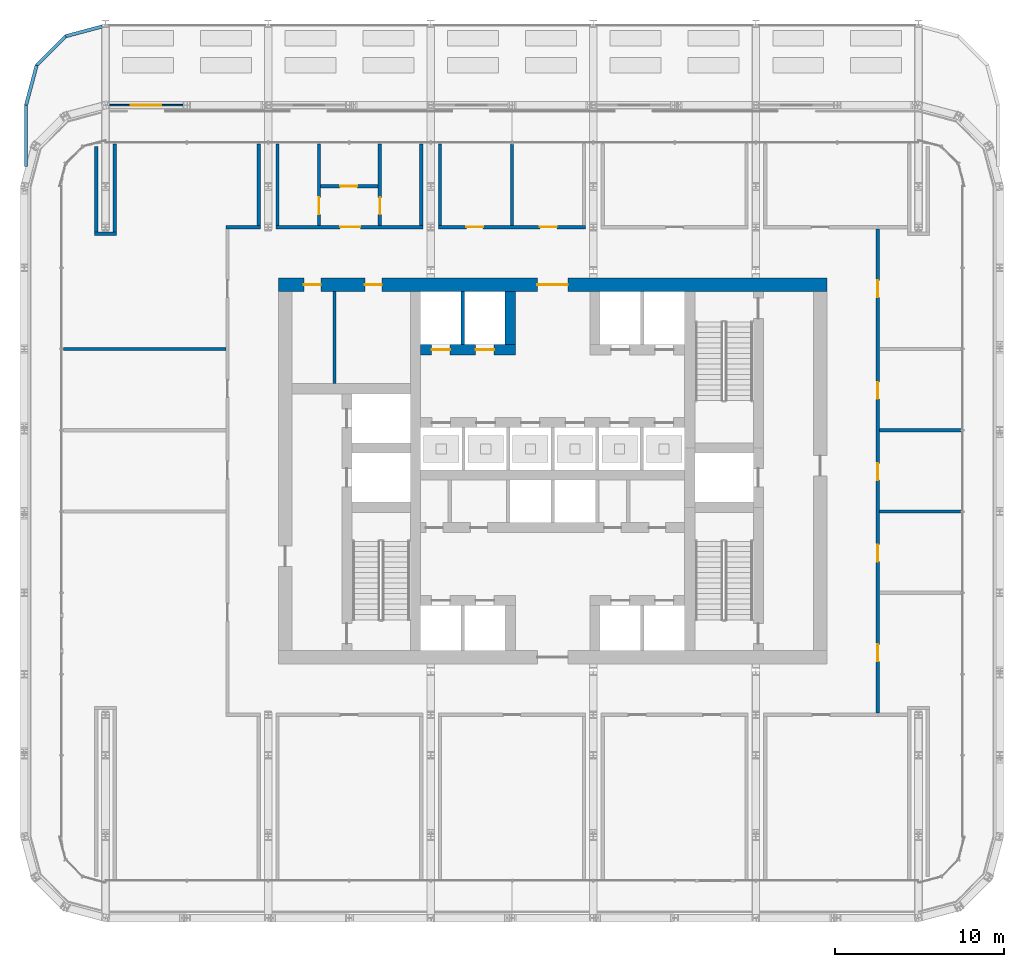
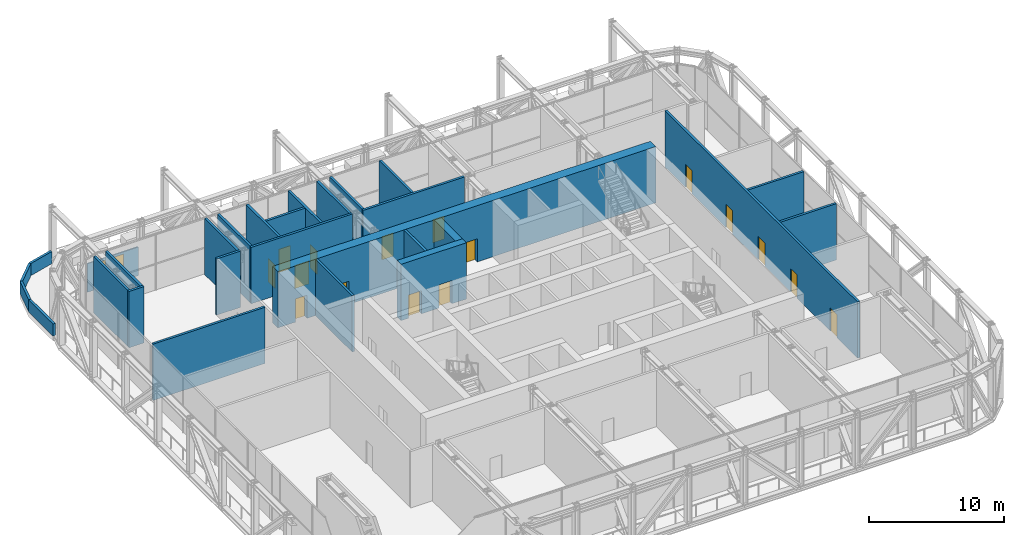
# One storey, part 18 of 27: 28 walls, 17 doors, 17 openings.
"""IFC4 building model written with IfcOpenShell, lengths in metres."""

from ifc_helpers import new_model, si_unit, direction, frame, frame_2d, origin, place, context, subcontext, project, spatial, rectangle, extrude, material, layer, layer_set, type_object, element, fill, save


model = new_model("IFC4")

# Units and contexts
model_context = context("Model", 3, precision=1e-05, world=origin(), true_north=direction((0.0, 1.0)))
body_context = subcontext(model_context, "Body", "Model", "MODEL_VIEW")
ifc_project = project(units=[si_unit("LENGTHUNIT", "METRE"), si_unit("AREAUNIT", "SQUARE_METRE"), si_unit("VOLUMEUNIT", "CUBIC_METRE"), si_unit("PLANEANGLEUNIT", "RADIAN"), si_unit("MASSUNIT", "GRAM", prefix="KILO")], contexts=[model_context])

# Site, building, storey
site_placement = place(None, origin())
site = spatial("IfcSite", under=ifc_project, at=site_placement, CompositionType="ELEMENT")
building_placement = place(site_placement, origin())
building = spatial("IfcBuilding", under=site, at=building_placement, Name="Madar Terraces", CompositionType="ELEMENT")
storey_placement = place(building_placement, frame((0.0, 0.0, 143.60009765625)))
storey = spatial("IfcBuildingStorey", under=building, at=storey_placement, Name="L37", CompositionType="ELEMENT", Elevation=143.60009765625)

# Wall, openings, doors
ifc_material_1 = material(Name="Concrete C70/85", Category="concrete")
ifc_layer_1 = layer(ifc_material_1, 0.60009765625)
ifc_layer_set_1 = layer_set([ifc_layer_1], Name="Concrete C70/85 (CIW3 RC wall 600)")
wall_type_1 = type_object("IfcWallType", Name="CIW3 RC wall 600", PredefinedType="SHEAR", material=ifc_layer_set_1)
wall_1_placement = place(storey_placement, frame((23.39990234375, 33.550048828125, 0.0), z_axis=(0.0, 0.0, 1.0), x_axis=(1.0, 0.0, 0.0)))
wall_1 = element("IfcWall", 1, at=wall_1_placement, inside=storey, type_object=wall_type_1, Name="CORE SHAFT WALL", PredefinedType="SHEAR", context=body_context, shape_type="SweptSolid", body=[
    extrude(rectangle(XDim=5.60009765625, YDim=0.60009765625, at=frame_2d((2.800048828125, 0.0))), origin(), (0.0, 0.0, 1.0), 5.099853515625),
])
opening_1_placement = place(wall_1_placement, frame((0.64990234375, 0.0, 0.0)))
opening_1 = element("IfcOpeningElement", 2, at=opening_1_placement, cuts=wall_1, Name="Opening LD", PredefinedType="OPENING", context=body_context, shape_type="SweptSolid", body=[
    extrude(rectangle(XDim=1.10009765625, YDim=2.10009765625, at=frame_2d((0.550048828125, 1.050048828125))), frame((0.0, 0.31005859375, 0.0), z_axis=(0.0, -1.0, 0.0), x_axis=(1.0, 0.0, 0.0)), (0.0, 0.0, 1.0), 0.6201171875),
])
opening_2_placement = place(wall_1_placement, frame((3.25, 0.0, 0.0)))
opening_2 = element("IfcOpeningElement", 3, at=opening_2_placement, cuts=wall_1, Name="Opening LD", PredefinedType="OPENING", context=body_context, shape_type="SweptSolid", body=[
    extrude(rectangle(XDim=1.10009765625, YDim=2.10009765625, at=frame_2d((0.550048828125, 1.050048828125))), frame((0.0, 0.31005859375, 0.0), z_axis=(0.0, -1.0, 0.0), x_axis=(1.0, 0.0, 0.0)), (0.0, 0.0, 1.0), 0.6201171875),
])
ifc_material_2 = material(Name="Stainless steel panel", Category="steel")
door_type_1 = type_object("IfcDoorType", Name="Lift landing door 1100 x 2100", OperationType="DOUBLE_DOOR_SLIDING", PredefinedType="DOOR", material=ifc_material_2)
door_1_placement = place(opening_1_placement, origin())
door_1 = element("IfcDoor", 4, at=door_1_placement, inside=storey, type_object=door_type_1, Name="LIFT LANDING DOOR", OperationType="DOUBLE_DOOR_SLIDING", OverallHeight=2.10009765625, OverallWidth=1.10009765625, PredefinedType="DOOR", context=body_context, shape_type="SweptSolid", body=[
    extrude(rectangle(XDim=1.10009765625, YDim=2.10009765625, at=frame_2d((0.550048828125, 1.050048828125))), frame((0.0, 0.02490234375, 0.0), z_axis=(0.0, -1.0, 0.0), x_axis=(1.0, 0.0, 0.0)), (0.0, 0.0, 1.0), 0.050048828125),
])
fill(opening_1, door_1)
door_2_placement = place(opening_2_placement, origin())
door_2 = element("IfcDoor", 5, at=door_2_placement, inside=storey, type_object=door_type_1, Name="LIFT LANDING DOOR", OperationType="DOUBLE_DOOR_SLIDING", OverallHeight=2.10009765625, OverallWidth=1.10009765625, PredefinedType="DOOR", context=body_context, shape_type="SweptSolid", body=[
    extrude(rectangle(XDim=1.10009765625, YDim=2.10009765625, at=frame_2d((0.550048828125, 1.050048828125))), frame((0.0, 0.02490234375, 0.0), z_axis=(0.0, -1.0, 0.0), x_axis=(1.0, 0.0, 0.0)), (0.0, 0.0, 1.0), 0.050048828125),
])
fill(opening_2, door_2)

# Wall
wall_2_placement = place(storey_placement, frame((28.699951171875, 33.85009765625, 0.0), z_axis=(0.0, 0.0, 1.0), x_axis=(0.0, 1.0, 0.0)))
element("IfcWall", 6, at=wall_2_placement, inside=storey, type_object=wall_type_1, Name="CORE SHAFT WALL", PredefinedType="SHEAR", context=body_context, shape_type="SweptSolid", body=[
    extrude(rectangle(XDim=3.14990234375, YDim=0.60009765625, at=frame_2d((1.574951171875, 0.0))), origin(), (0.0, 0.0, 1.0), 5.099853515625),
])

# Wall, openings, doors
ifc_material_3 = material(Name="Concrete C70/85", Category="concrete")
ifc_layer_2 = layer(ifc_material_3, 0.800048828125)
ifc_layer_set_2 = layer_set([ifc_layer_2], Name="Concrete C70/85 (CRW3 RC wall 800)")
wall_type_2 = type_object("IfcWallType", Name="CRW3 RC wall 800", PredefinedType="SHEAR", material=ifc_layer_set_2)
wall_3_placement = place(storey_placement, frame((15.0, 37.39990234375, 0.0), z_axis=(0.0, 0.0, 1.0), x_axis=(1.0, 0.0, 0.0)))
wall_3 = element("IfcWall", 7, at=wall_3_placement, inside=storey, type_object=wall_type_2, Name="CORE OUTER WALL", PredefinedType="SHEAR", context=body_context, shape_type="SweptSolid", body=[
    extrude(rectangle(XDim=32.39990234375, YDim=0.800048828125, at=frame_2d((16.199951171875, 0.0))), origin(), (0.0, 0.0, 1.0), 5.099853515625),
])
opening_3_placement = place(wall_3_placement, frame((15.300048828125, 0.0, 0.0)))
opening_3 = element("IfcOpeningElement", 8, at=opening_3_placement, cuts=wall_3, Name="Opening KD1", PredefinedType="OPENING", context=body_context, shape_type="SweptSolid", body=[
    extrude(rectangle(XDim=1.800048828125, YDim=2.10009765625, at=frame_2d((0.89990234375, 1.050048828125))), frame((0.0, 0.409912109375, 0.0), z_axis=(0.0, -1.0, 0.0), x_axis=(1.0, 0.0, 0.0)), (0.0, 0.0, 1.0), 0.820068359375),
])
opening_4_placement = place(wall_3_placement, frame((1.510009765625, 0.0, 0.0)))
opening_4 = element("IfcOpeningElement", 9, at=opening_4_placement, cuts=wall_3, Name="Opening KD2", PredefinedType="OPENING", context=body_context, shape_type="SweptSolid", body=[
    extrude(rectangle(XDim=1.0, YDim=2.10009765625, at=frame_2d((0.5, 1.050048828125))), frame((0.0, 0.409912109375, 0.0), z_axis=(0.0, -1.0, 0.0), x_axis=(1.0, 0.0, 0.0)), (0.0, 0.0, 1.0), 0.820068359375),
])
opening_5_placement = place(wall_3_placement, frame((5.110107421875, 0.0, 0.0)))
opening_5 = element("IfcOpeningElement", 10, at=opening_5_placement, cuts=wall_3, Name="Opening KD2", PredefinedType="OPENING", context=body_context, shape_type="SweptSolid", body=[
    extrude(rectangle(XDim=1.0, YDim=2.10009765625, at=frame_2d((0.5, 1.050048828125))), frame((0.0, 0.409912109375, 0.0), z_axis=(0.0, -1.0, 0.0), x_axis=(1.0, 0.0, 0.0)), (0.0, 0.0, 1.0), 0.820068359375),
])
ifc_material_4 = material(Name="Steel door leaf", Category="steel")
door_type_2 = type_object("IfcDoorType", Name="Lobby door pair 1800 x 2100", OperationType="DOUBLE_DOOR_SINGLE_SWING", PredefinedType="DOOR", material=ifc_material_4)
door_3_placement = place(opening_3_placement, origin())
door_3 = element("IfcDoor", 11, at=door_3_placement, inside=storey, type_object=door_type_2, Name="LIFT LOBBY DOOR", OperationType="DOUBLE_DOOR_SINGLE_SWING", OverallHeight=2.10009765625, OverallWidth=1.800048828125, PredefinedType="DOOR", context=body_context, shape_type="SweptSolid", body=[
    extrude(rectangle(XDim=1.800048828125, YDim=2.10009765625, at=frame_2d((0.89990234375, 1.050048828125))), frame((0.0, 0.02490234375, 0.0), z_axis=(0.0, -1.0, 0.0), x_axis=(1.0, 0.0, 0.0)), (0.0, 0.0, 1.0), 0.050048828125),
])
fill(opening_3, door_3)
ifc_material_5 = material(Name="Steel door leaf", Category="steel")
door_type_3 = type_object("IfcDoorType", Name="Service room door 1000 x 2100", OperationType="NOTDEFINED", PredefinedType="DOOR", material=ifc_material_5)
door_4_placement = place(opening_4_placement, origin())
door_4 = element("IfcDoor", 12, at=door_4_placement, inside=storey, type_object=door_type_3, Name="SERVICE ROOM DOOR", OperationType="SINGLE_SWING_RIGHT", OverallHeight=2.10009765625, OverallWidth=1.0, PredefinedType="DOOR", context=body_context, shape_type="SweptSolid", body=[
    extrude(rectangle(XDim=1.0, YDim=2.10009765625, at=frame_2d((0.5, 1.050048828125))), frame((0.0, 0.02490234375, 0.0), z_axis=(0.0, -1.0, 0.0), x_axis=(1.0, 0.0, 0.0)), (0.0, 0.0, 1.0), 0.050048828125),
])
fill(opening_4, door_4)
door_5_placement = place(opening_5_placement, origin())
door_5 = element("IfcDoor", 13, at=door_5_placement, inside=storey, type_object=door_type_3, Name="SERVICE ROOM DOOR", OperationType="SINGLE_SWING_LEFT", OverallHeight=2.10009765625, OverallWidth=1.0, PredefinedType="DOOR", context=body_context, shape_type="SweptSolid", body=[
    extrude(rectangle(XDim=1.0, YDim=2.10009765625, at=frame_2d((0.5, 1.050048828125))), frame((0.0, 0.02490234375, 0.0), z_axis=(0.0, -1.0, 0.0), x_axis=(1.0, 0.0, 0.0)), (0.0, 0.0, 1.0), 0.050048828125),
])
fill(opening_5, door_5)

# Walls
ifc_material_6 = material(Name="Masonry blockwork", Category="masonry")
ifc_layer_3 = layer(ifc_material_6, 0.199951171875)
ifc_layer_set_3 = layer_set([ifc_layer_3], Name="Core partition 200 blockwork")
wall_type_3 = type_object("IfcWallType", Name="Core partition 200 blockwork", PredefinedType="PARTITIONING", material=ifc_layer_set_3)
wall_4_placement = place(storey_placement, frame((18.320068359375, 31.550048828125, 0.0), z_axis=(0.0, 0.0, 1.0), x_axis=(0.0, 1.0, 0.0)))
element("IfcWall", 14, at=wall_4_placement, inside=storey, type_object=wall_type_3, Name="SERVICE ROOM PARTITION", PredefinedType="PARTITIONING", context=body_context, shape_type="SweptSolid", body=[
    extrude(rectangle(XDim=5.449951171875, YDim=0.199951171875, at=frame_2d((2.72509765625, 0.0))), origin(), (0.0, 0.0, 1.0), 5.099853515625),
])
ifc_material_7 = material(Name="Concrete C40/50", Category="concrete")
ifc_layer_4 = layer(ifc_material_7, 0.199951171875)
ifc_layer_set_4 = layer_set([ifc_layer_4], Name="Core shaft dividing wall 200 C40/50")
wall_type_4 = type_object("IfcWallType", Name="Core shaft dividing wall 200 C40/50", PredefinedType="SOLIDWALL", material=ifc_layer_set_4)
wall_5_placement = place(storey_placement, frame((25.89990234375, 33.85009765625, 0.0), z_axis=(0.0, 0.0, 1.0), x_axis=(0.0, 1.0, 0.0)))
element("IfcWall", 15, at=wall_5_placement, inside=storey, type_object=wall_type_4, Name="SHAFT DIVIDING WALL", PredefinedType="SOLIDWALL", context=body_context, shape_type="SweptSolid", body=[
    extrude(rectangle(XDim=3.14990234375, YDim=0.199951171875, at=frame_2d((1.574951171875, 0.0))), origin(), (0.0, 0.0, 1.0), 5.099853515625),
])
ifc_material_8 = material(Name="Gypsum board partition, fire-rated")
ifc_layer_5 = layer(ifc_material_8, 0.199951171875)
ifc_layer_set_5 = layer_set([ifc_layer_5], Name="Partition 200 EI 60")
wall_type_5 = type_object("IfcWallType", Name="Partition 200 EI 60", PredefinedType="PARTITIONING", material=ifc_layer_set_5)
for number, where, z_axis, x_axis, name in (
    (16, (50.5, 24.0, 0.0), (0.0, 0.0, 1.0), (1.0, 0.0, 0.0), "Wall OFFICE / OFFICE"),
    (17, (50.5, 28.800048828125, 0.0), (0.0, 0.0, 1.0), (1.0, 0.0, 0.0), "Wall OFFICE / CRAFT ROOM"),
):
    element("IfcWall", number, at=place(storey_placement, frame(where, z_axis=z_axis, x_axis=x_axis)), inside=storey, type_object=wall_type_5, Name=name, PredefinedType="PARTITIONING", context=body_context, shape_type="SweptSolid", body=[
        extrude(rectangle(XDim=4.800048828125, YDim=0.199951171875, at=frame_2d((2.39990234375, 0.0))), origin(), (0.0, 0.0, 1.0), 5.099853515625),
    ])
wall_6_placement = place(storey_placement, frame((2.300048828125, 33.60009765625, 0.0), z_axis=(0.0, 0.0, 1.0), x_axis=(1.0, 0.0, 0.0)))
element("IfcWall", 18, at=wall_6_placement, inside=storey, type_object=wall_type_5, Name="Wall GAMES ROOM / YOUTH ROOM", PredefinedType="PARTITIONING", context=body_context, shape_type="SweptSolid", body=[
    extrude(rectangle(XDim=9.599853515625, YDim=0.199951171875, at=frame_2d((4.7998046875, 0.0))), origin(), (0.0, 0.0, 1.0), 5.099853515625),
])
wall_7_placement = place(storey_placement, frame((11.89990234375, 40.800048828125, 0.0), z_axis=(0.0, 0.0, 1.0), x_axis=(1.0, 0.0, 0.0)))
element("IfcWall", 19, at=wall_7_placement, inside=storey, type_object=wall_type_5, Name="Wall YOUTH ROOM / RING CORRIDOR", PredefinedType="PARTITIONING", context=body_context, shape_type="SweptSolid", body=[
    extrude(rectangle(XDim=2.050048828125, YDim=0.199951171875, at=frame_2d((1.02490234375, 0.0))), origin(), (0.0, 0.0, 1.0), 5.099853515625),
])

# Wall, opening, door
wall_8_placement = place(storey_placement, frame((23.550048828125, 40.800048828125, 0.0), z_axis=(0.0, 0.0, 1.0), x_axis=(-1.0, 0.0, 0.0)))
wall_8 = element("IfcWall", 20, at=wall_8_placement, inside=storey, type_object=wall_type_5, Name="Wall WC LOBBY + WC MEN", PredefinedType="PARTITIONING", context=body_context, shape_type="SweptSolid", body=[
    extrude(rectangle(XDim=8.699951171875, YDim=0.199951171875, at=frame_2d((4.35009765625, 0.0))), origin(), (0.0, 0.0, 1.0), 5.099853515625),
])
opening_6_placement = place(wall_8_placement, frame((3.699951171875, 0.0, 0.0)))
opening_6 = element("IfcOpeningElement", 21, at=opening_6_placement, cuts=wall_8, Name="Opening D32", PredefinedType="OPENING", context=body_context, shape_type="SweptSolid", body=[
    extrude(rectangle(XDim=1.199951171875, YDim=2.10009765625, at=frame_2d((0.60009765625, 1.050048828125))), frame((0.0, 0.10986328125, 0.0), z_axis=(0.0, -1.0, 0.0), x_axis=(1.0, 0.0, 0.0)), (0.0, 0.0, 1.0), 0.219970703125),
])
ifc_material_9 = material(Name="Timber door leaf, fire-rated", Category="wood")
door_type_4 = type_object("IfcDoorType", Name="Podium door 1200 x 2100 FD30S", OperationType="NOTDEFINED", PredefinedType="DOOR", material=ifc_material_9)
door_6_placement = place(opening_6_placement, origin())
door_6 = element("IfcDoor", 22, at=door_6_placement, inside=storey, type_object=door_type_4, Name="Door WC LOBBY / RING CORRIDOR", OperationType="SINGLE_SWING_LEFT", OverallHeight=2.10009765625, OverallWidth=1.199951171875, PredefinedType="DOOR", context=body_context, shape_type="SweptSolid", body=[
    extrude(rectangle(XDim=1.199951171875, YDim=2.10009765625, at=frame_2d((0.60009765625, 1.050048828125))), frame((0.0, 0.02490234375, 0.0), z_axis=(0.0, -1.0, 0.0), x_axis=(1.0, 0.0, 0.0)), (0.0, 0.0, 1.0), 0.050048828125),
])
fill(opening_6, door_6)

# Wall, openings, doors
wall_9_placement = place(storey_placement, frame((24.449951171875, 40.800048828125, 0.0), z_axis=(0.0, 0.0, 1.0), x_axis=(1.0, 0.0, 0.0)))
wall_9 = element("IfcWall", 23, at=wall_9_placement, inside=storey, type_object=wall_type_5, Name="Wall COMPUTER ROOM + OFFICE", PredefinedType="PARTITIONING", context=body_context, shape_type="SweptSolid", body=[
    extrude(rectangle(XDim=8.699951171875, YDim=0.199951171875, at=frame_2d((4.35009765625, 0.0))), origin(), (0.0, 0.0, 1.0), 5.099853515625),
])
opening_7_placement = place(wall_9_placement, frame((1.64990234375, 0.0, 0.0)))
opening_7 = element("IfcOpeningElement", 24, at=opening_7_placement, cuts=wall_9, Name="Opening D31", PredefinedType="OPENING", context=body_context, shape_type="SweptSolid", body=[
    extrude(rectangle(XDim=1.0, YDim=2.10009765625, at=frame_2d((0.5, 1.050048828125))), frame((0.0, 0.10986328125, 0.0), z_axis=(0.0, -1.0, 0.0), x_axis=(1.0, 0.0, 0.0)), (0.0, 0.0, 1.0), 0.219970703125),
])
opening_8_placement = place(wall_9_placement, frame((6.0, 0.0, 0.0)))
opening_8 = element("IfcOpeningElement", 25, at=opening_8_placement, cuts=wall_9, Name="Opening D31", PredefinedType="OPENING", context=body_context, shape_type="SweptSolid", body=[
    extrude(rectangle(XDim=1.0, YDim=2.10009765625, at=frame_2d((0.5, 1.050048828125))), frame((0.0, 0.10986328125, 0.0), z_axis=(0.0, -1.0, 0.0), x_axis=(1.0, 0.0, 0.0)), (0.0, 0.0, 1.0), 0.219970703125),
])
ifc_material_10 = material(Name="Timber door leaf, fire-rated", Category="wood")
door_type_5 = type_object("IfcDoorType", Name="Podium door 1000 x 2100 FD30S", OperationType="NOTDEFINED", PredefinedType="DOOR", material=ifc_material_10)
door_7_placement = place(opening_7_placement, origin())
door_7 = element("IfcDoor", 26, at=door_7_placement, inside=storey, type_object=door_type_5, Name="Door COMPUTER ROOM / RING CORRIDOR", OperationType="SINGLE_SWING_LEFT", OverallHeight=2.10009765625, OverallWidth=1.0, PredefinedType="DOOR", context=body_context, shape_type="SweptSolid", body=[
    extrude(rectangle(XDim=1.0, YDim=2.10009765625, at=frame_2d((0.5, 1.050048828125))), frame((0.0, 0.02490234375, 0.0), z_axis=(0.0, -1.0, 0.0), x_axis=(1.0, 0.0, 0.0)), (0.0, 0.0, 1.0), 0.050048828125),
])
fill(opening_7, door_7)
door_8_placement = place(opening_8_placement, origin())
door_8 = element("IfcDoor", 27, at=door_8_placement, inside=storey, type_object=door_type_5, Name="Door OFFICE / RING CORRIDOR", OperationType="SINGLE_SWING_LEFT", OverallHeight=2.10009765625, OverallWidth=1.0, PredefinedType="DOOR", context=body_context, shape_type="SweptSolid", body=[
    extrude(rectangle(XDim=1.0, YDim=2.10009765625, at=frame_2d((0.5, 1.050048828125))), frame((0.0, 0.02490234375, 0.0), z_axis=(0.0, -1.0, 0.0), x_axis=(1.0, 0.0, 0.0)), (0.0, 0.0, 1.0), 0.050048828125),
])
fill(opening_8, door_8)

# Wall, opening, door
wall_10_placement = place(storey_placement, frame((17.5, 43.199951171875, 0.0), z_axis=(0.0, 0.0, 1.0), x_axis=(1.0, 0.0, 0.0)))
wall_10 = element("IfcWall", 28, at=wall_10_placement, inside=storey, type_object=wall_type_5, Name="Wall WC LOBBY / ACCESSIBLE WC", PredefinedType="PARTITIONING", context=body_context, shape_type="SweptSolid", body=[
    extrude(rectangle(XDim=3.39990234375, YDim=0.199951171875, at=frame_2d((1.699951171875, 0.0))), origin(), (0.0, 0.0, 1.0), 5.099853515625),
])
opening_9_placement = place(wall_10_placement, frame((1.14990234375, 0.0, 0.0)))
opening_9 = element("IfcOpeningElement", 29, at=opening_9_placement, cuts=wall_10, Name="Opening D31", PredefinedType="OPENING", context=body_context, shape_type="SweptSolid", body=[
    extrude(rectangle(XDim=1.0, YDim=2.10009765625, at=frame_2d((0.5, 1.050048828125))), frame((0.0, 0.10986328125, 0.0), z_axis=(0.0, -1.0, 0.0), x_axis=(1.0, 0.0, 0.0)), (0.0, 0.0, 1.0), 0.219970703125),
])
door_9_placement = place(opening_9_placement, origin())
door_9 = element("IfcDoor", 30, at=door_9_placement, inside=storey, type_object=door_type_5, Name="Door WC LOBBY / ACCESSIBLE WC", OperationType="SINGLE_SWING_LEFT", OverallHeight=2.10009765625, OverallWidth=1.0, PredefinedType="DOOR", context=body_context, shape_type="SweptSolid", body=[
    extrude(rectangle(XDim=1.0, YDim=2.10009765625, at=frame_2d((0.5, 1.050048828125))), frame((0.0, 0.02490234375, 0.0), z_axis=(0.0, -1.0, 0.0), x_axis=(1.0, 0.0, 0.0)), (0.0, 0.0, 1.0), 0.050048828125),
])
fill(opening_9, door_9)

wall_11_placement = place(storey_placement, frame((17.39990234375, 40.89990234375, 0.0), z_axis=(0.0, 0.0, 1.0), x_axis=(0.0, 1.0, 0.0)))
wall_11 = element("IfcWall", 31, at=wall_11_placement, inside=storey, type_object=wall_type_5, Name="Wall WC MEN", PredefinedType="PARTITIONING", context=body_context, shape_type="SweptSolid", body=[
    extrude(rectangle(XDim=4.800048828125, YDim=0.199951171875, at=frame_2d((2.39990234375, 0.0))), origin(), (0.0, 0.0, 1.0), 5.099853515625),
])
opening_10_placement = place(wall_11_placement, frame((0.64990234375, 0.0, 0.0)))
opening_10 = element("IfcOpeningElement", 32, at=opening_10_placement, cuts=wall_11, Name="Opening D31", PredefinedType="OPENING", context=body_context, shape_type="SweptSolid", body=[
    extrude(rectangle(XDim=1.0, YDim=2.10009765625, at=frame_2d((0.5, 1.050048828125))), frame((0.0, 0.10986328125, 0.0), z_axis=(0.0, -1.0, 0.0), x_axis=(1.0, 0.0, 0.0)), (0.0, 0.0, 1.0), 0.219970703125),
])
door_10_placement = place(opening_10_placement, origin())
door_10 = element("IfcDoor", 33, at=door_10_placement, inside=storey, type_object=door_type_5, Name="Door WC MEN / WC LOBBY", OperationType="SINGLE_SWING_LEFT", OverallHeight=2.10009765625, OverallWidth=1.0, PredefinedType="DOOR", context=body_context, shape_type="SweptSolid", body=[
    extrude(rectangle(XDim=1.0, YDim=2.10009765625, at=frame_2d((0.5, 1.050048828125))), frame((0.0, 0.02490234375, 0.0), z_axis=(0.0, -1.0, 0.0), x_axis=(1.0, 0.0, 0.0)), (0.0, 0.0, 1.0), 0.050048828125),
])
fill(opening_10, door_10)

wall_12_placement = place(storey_placement, frame((21.0, 45.699951171875, 0.0), z_axis=(0.0, 0.0, 1.0), x_axis=(0.0, -1.0, 0.0)))
wall_12 = element("IfcWall", 34, at=wall_12_placement, inside=storey, type_object=wall_type_5, Name="Wall WC LOBBY + WC WOMEN", PredefinedType="PARTITIONING", context=body_context, shape_type="SweptSolid", body=[
    extrude(rectangle(XDim=4.800048828125, YDim=0.199951171875, at=frame_2d((2.39990234375, 0.0))), origin(), (0.0, 0.0, 1.0), 5.099853515625),
])
opening_11_placement = place(wall_12_placement, frame((3.14990234375, 0.0, 0.0)))
opening_11 = element("IfcOpeningElement", 35, at=opening_11_placement, cuts=wall_12, Name="Opening D31", PredefinedType="OPENING", context=body_context, shape_type="SweptSolid", body=[
    extrude(rectangle(XDim=1.0, YDim=2.10009765625, at=frame_2d((0.5, 1.050048828125))), frame((0.0, 0.10986328125, 0.0), z_axis=(0.0, -1.0, 0.0), x_axis=(1.0, 0.0, 0.0)), (0.0, 0.0, 1.0), 0.219970703125),
])
door_11_placement = place(opening_11_placement, origin())
door_11 = element("IfcDoor", 36, at=door_11_placement, inside=storey, type_object=door_type_5, Name="Door WC LOBBY / WC WOMEN", OperationType="SINGLE_SWING_RIGHT", OverallHeight=2.10009765625, OverallWidth=1.0, PredefinedType="DOOR", context=body_context, shape_type="SweptSolid", body=[
    extrude(rectangle(XDim=1.0, YDim=2.10009765625, at=frame_2d((0.5, 1.050048828125))), frame((0.0, 0.02490234375, 0.0), z_axis=(0.0, -1.0, 0.0), x_axis=(1.0, 0.0, 0.0)), (0.0, 0.0, 1.0), 0.050048828125),
])
fill(opening_11, door_11)

# Wall
wall_13_placement = place(storey_placement, frame((28.800048828125, 40.89990234375, 0.0), z_axis=(0.0, 0.0, 1.0), x_axis=(0.0, 1.0, 0.0)))
element("IfcWall", 37, at=wall_13_placement, inside=storey, type_object=wall_type_5, Name="Wall COMPUTER ROOM / OFFICE", PredefinedType="PARTITIONING", context=body_context, shape_type="SweptSolid", body=[
    extrude(rectangle(XDim=4.800048828125, YDim=0.199951171875, at=frame_2d((2.39990234375, 0.0))), origin(), (0.0, 0.0, 1.0), 5.099853515625),
])

# Wall, openings, doors
wall_14_placement = place(storey_placement, frame((50.39990234375, 40.699951171875, 0.0), z_axis=(0.0, 0.0, 1.0), x_axis=(0.0, -1.0, 0.0)))
wall_14 = element("IfcWall", 38, at=wall_14_placement, inside=storey, type_object=wall_type_5, Name="Wall CRAFT ROOM + OFFICE", PredefinedType="PARTITIONING", context=body_context, shape_type="SweptSolid", body=[
    extrude(rectangle(XDim=28.599853515625, YDim=0.199951171875, at=frame_2d((14.2998046875, 0.0))), origin(), (0.0, 0.0, 1.0), 5.099853515625),
])
opening_12_placement = place(wall_14_placement, frame((24.550048828125, 0.0, 0.0)))
opening_12 = element("IfcOpeningElement", 39, at=opening_12_placement, cuts=wall_14, Name="Opening D31", PredefinedType="OPENING", context=body_context, shape_type="SweptSolid", body=[
    extrude(rectangle(XDim=1.0, YDim=2.10009765625, at=frame_2d((0.5, 1.050048828125))), frame((0.0, 0.10986328125, 0.0), z_axis=(0.0, -1.0, 0.0), x_axis=(1.0, 0.0, 0.0)), (0.0, 0.0, 1.0), 0.219970703125),
])
opening_13_placement = place(wall_14_placement, frame((18.64990234375, 0.0, 0.0)))
opening_13 = element("IfcOpeningElement", 40, at=opening_13_placement, cuts=wall_14, Name="Opening D31", PredefinedType="OPENING", context=body_context, shape_type="SweptSolid", body=[
    extrude(rectangle(XDim=1.0, YDim=2.10009765625, at=frame_2d((0.5, 1.050048828125))), frame((0.0, 0.10986328125, 0.0), z_axis=(0.0, -1.0, 0.0), x_axis=(1.0, 0.0, 0.0)), (0.0, 0.0, 1.0), 0.219970703125),
])
opening_14_placement = place(wall_14_placement, frame((13.85009765625, 0.0, 0.0)))
opening_14 = element("IfcOpeningElement", 41, at=opening_14_placement, cuts=wall_14, Name="Opening D31", PredefinedType="OPENING", context=body_context, shape_type="SweptSolid", body=[
    extrude(rectangle(XDim=1.0, YDim=2.10009765625, at=frame_2d((0.5, 1.050048828125))), frame((0.0, 0.10986328125, 0.0), z_axis=(0.0, -1.0, 0.0), x_axis=(1.0, 0.0, 0.0)), (0.0, 0.0, 1.0), 0.219970703125),
])
opening_15_placement = place(wall_14_placement, frame((9.050048828125, 0.0, 0.0)))
opening_15 = element("IfcOpeningElement", 42, at=opening_15_placement, cuts=wall_14, Name="Opening D31", PredefinedType="OPENING", context=body_context, shape_type="SweptSolid", body=[
    extrude(rectangle(XDim=1.0, YDim=2.10009765625, at=frame_2d((0.5, 1.050048828125))), frame((0.0, 0.10986328125, 0.0), z_axis=(0.0, -1.0, 0.0), x_axis=(1.0, 0.0, 0.0)), (0.0, 0.0, 1.0), 0.219970703125),
])
opening_16_placement = place(wall_14_placement, frame((3.050048828125, 0.0, 0.0)))
opening_16 = element("IfcOpeningElement", 43, at=opening_16_placement, cuts=wall_14, Name="Opening D31", PredefinedType="OPENING", context=body_context, shape_type="SweptSolid", body=[
    extrude(rectangle(XDim=1.0, YDim=2.10009765625, at=frame_2d((0.5, 1.050048828125))), frame((0.0, 0.10986328125, 0.0), z_axis=(0.0, -1.0, 0.0), x_axis=(1.0, 0.0, 0.0)), (0.0, 0.0, 1.0), 0.219970703125),
])
door_12_placement = place(opening_12_placement, origin())
door_12 = element("IfcDoor", 44, at=door_12_placement, inside=storey, type_object=door_type_5, Name="Door STAFF ROOM / RING CORRIDOR", OperationType="SINGLE_SWING_RIGHT", OverallHeight=2.10009765625, OverallWidth=1.0, PredefinedType="DOOR", context=body_context, shape_type="SweptSolid", body=[
    extrude(rectangle(XDim=1.0, YDim=2.10009765625, at=frame_2d((0.5, 1.050048828125))), frame((0.0, 0.02490234375, 0.0), z_axis=(0.0, -1.0, 0.0), x_axis=(1.0, 0.0, 0.0)), (0.0, 0.0, 1.0), 0.050048828125),
])
fill(opening_12, door_12)
door_13_placement = place(opening_13_placement, origin())
door_13 = element("IfcDoor", 45, at=door_13_placement, inside=storey, type_object=door_type_5, Name="Door OFFICE / RING CORRIDOR", OperationType="SINGLE_SWING_RIGHT", OverallHeight=2.10009765625, OverallWidth=1.0, PredefinedType="DOOR", context=body_context, shape_type="SweptSolid", body=[
    extrude(rectangle(XDim=1.0, YDim=2.10009765625, at=frame_2d((0.5, 1.050048828125))), frame((0.0, 0.02490234375, 0.0), z_axis=(0.0, -1.0, 0.0), x_axis=(1.0, 0.0, 0.0)), (0.0, 0.0, 1.0), 0.050048828125),
])
fill(opening_13, door_13)
door_14_placement = place(opening_14_placement, origin())
door_14 = element("IfcDoor", 46, at=door_14_placement, inside=storey, type_object=door_type_5, Name="Door OFFICE / RING CORRIDOR", OperationType="SINGLE_SWING_RIGHT", OverallHeight=2.10009765625, OverallWidth=1.0, PredefinedType="DOOR", context=body_context, shape_type="SweptSolid", body=[
    extrude(rectangle(XDim=1.0, YDim=2.10009765625, at=frame_2d((0.5, 1.050048828125))), frame((0.0, 0.02490234375, 0.0), z_axis=(0.0, -1.0, 0.0), x_axis=(1.0, 0.0, 0.0)), (0.0, 0.0, 1.0), 0.050048828125),
])
fill(opening_14, door_14)
door_15_placement = place(opening_15_placement, origin())
door_15 = element("IfcDoor", 47, at=door_15_placement, inside=storey, type_object=door_type_5, Name="Door CRAFT ROOM / RING CORRIDOR", OperationType="SINGLE_SWING_RIGHT", OverallHeight=2.10009765625, OverallWidth=1.0, PredefinedType="DOOR", context=body_context, shape_type="SweptSolid", body=[
    extrude(rectangle(XDim=1.0, YDim=2.10009765625, at=frame_2d((0.5, 1.050048828125))), frame((0.0, 0.02490234375, 0.0), z_axis=(0.0, -1.0, 0.0), x_axis=(1.0, 0.0, 0.0)), (0.0, 0.0, 1.0), 0.050048828125),
])
fill(opening_15, door_15)
door_16_placement = place(opening_16_placement, origin())
door_16 = element("IfcDoor", 48, at=door_16_placement, inside=storey, type_object=door_type_5, Name="Door QUIET ROOM / RING CORRIDOR", OperationType="SINGLE_SWING_RIGHT", OverallHeight=2.10009765625, OverallWidth=1.0, PredefinedType="DOOR", context=body_context, shape_type="SweptSolid", body=[
    extrude(rectangle(XDim=1.0, YDim=2.10009765625, at=frame_2d((0.5, 1.050048828125))), frame((0.0, 0.02490234375, 0.0), z_axis=(0.0, -1.0, 0.0), x_axis=(1.0, 0.0, 0.0)), (0.0, 0.0, 1.0), 0.050048828125),
])
fill(opening_16, door_16)

# Walls
ifc_material_11 = material(Name="Gypsum board partition on metal studs")
ifc_layer_6 = layer(ifc_material_11, 0.199951171875)
ifc_layer_set_6 = layer_set([ifc_layer_6], Name="Partition 200 plain")
wall_type_6 = type_object("IfcWallType", Name="Partition 200 plain", PredefinedType="PARTITIONING", material=ifc_layer_set_6)
wall_15_placement = place(storey_placement, frame((4.14990234375, 40.39990234375, 0.0), z_axis=(0.0, 0.0, 1.0), x_axis=(1.0, 0.0, 0.0)))
element("IfcWall", 49, at=wall_15_placement, inside=storey, type_object=wall_type_6, Name="Wall YOUTH ROOM / TRUSS SLOT", PredefinedType="PARTITIONING", context=body_context, shape_type="SweptSolid", body=[
    extrude(rectangle(XDim=1.300048828125, YDim=0.199951171875, at=frame_2d((0.64990234375, 0.0))), origin(), (0.0, 0.0, 1.0), 5.099853515625),
])
wall_16_placement = place(storey_placement, frame((4.25, 40.5, 0.0), z_axis=(0.0, 0.0, 1.0), x_axis=(0.0, 1.0, 0.0)))
element("IfcWall", 50, at=wall_16_placement, inside=storey, type_object=wall_type_6, Name="Wall YOUTH ROOM / TRUSS SLOT", PredefinedType="PARTITIONING", context=body_context, shape_type="SweptSolid", body=[
    extrude(rectangle(XDim=5.050048828125, YDim=0.199951171875, at=frame_2d((2.52490234375, 0.0))), origin(), (0.0, 0.0, 1.0), 5.099853515625),
])
wall_17_placement = place(storey_placement, frame((5.35009765625, 40.5, 0.0), z_axis=(0.0, 0.0, 1.0), x_axis=(0.0, 1.0, 0.0)))
element("IfcWall", 51, at=wall_17_placement, inside=storey, type_object=wall_type_6, Name="Wall YOUTH ROOM / TRUSS SLOT", PredefinedType="PARTITIONING", context=body_context, shape_type="SweptSolid", body=[
    extrude(rectangle(XDim=5.199951171875, YDim=0.199951171875, at=frame_2d((2.60009765625, 0.0))), origin(), (0.0, 0.0, 1.0), 5.099853515625),
])
for number, where, z_axis, x_axis, name in (
    (52, (13.85009765625, 40.89990234375, 0.0), (0.0, 0.0, 1.0), (0.0, 1.0, 0.0), "Wall YOUTH ROOM / TRUSS SLOT"),
    (53, (14.949951171875, 40.89990234375, 0.0), (0.0, 0.0, 1.0), (0.0, 1.0, 0.0), "Wall WC MEN / TRUSS SLOT"),
    (54, (23.449951171875, 40.89990234375, 0.0), (0.0, 0.0, 1.0), (0.0, 1.0, 0.0), "Wall WC WOMEN / TRUSS SLOT"),
    (55, (24.550048828125, 40.89990234375, 0.0), (0.0, 0.0, 1.0), (0.0, 1.0, 0.0), "Wall COMPUTER ROOM / TRUSS SLOT"),
):
    element("IfcWall", number, at=place(storey_placement, frame(where, z_axis=z_axis, x_axis=x_axis)), inside=storey, type_object=wall_type_6, Name=name, PredefinedType="PARTITIONING", context=body_context, shape_type="SweptSolid", body=[
        extrude(rectangle(XDim=4.800048828125, YDim=0.199951171875, at=frame_2d((2.39990234375, 0.0))), origin(), (0.0, 0.0, 1.0), 5.099853515625),
    ])
ifc_material_12 = material(Name="Concrete C40/50", Category="concrete")
ifc_layer_7 = layer(ifc_material_12, 0.199951171875)
ifc_layer_set_7 = layer_set([ifc_layer_7], Name="Roof parapet 200")
wall_type_7 = type_object("IfcWallType", Name="Roof parapet 200", PredefinedType="PARAPET", material=ifc_layer_set_7)
wall_18_placement = place(storey_placement, frame((4.60400390625, 52.6474609375, 0.039794921875), z_axis=(0.0, 0.0, 1.0), x_axis=(-0.965928993562, -0.258807224389, 0.0)))
element("IfcWall", 56, at=wall_18_placement, inside=storey, type_object=wall_type_7, Name="Roof parapet", PredefinedType="PARAPET", context=body_context, shape_type="SweptSolid", body=[
    extrude(rectangle(XDim=2.22998046875, YDim=0.199951171875, at=frame_2d((1.114990234375, 0.0))), origin(), (0.0, 0.0, 1.0), 1.10009765625),
])
for number, where, z_axis, x_axis, name in (
    (57, (2.449951171875, 52.0703125, 0.039794921875), (0.0, 0.0, 1.0), (-0.707106781187, -0.707106781187, 0.0), "Roof parapet"),
    (58, (0.729736328125, 50.35009765625, 0.039794921875), (0.0, 0.0, 1.0), (-0.258792930722, -0.965932823238, 0.0), "Roof parapet"),
):
    element("IfcWall", number, at=place(storey_placement, frame(where, z_axis=z_axis, x_axis=x_axis)), inside=storey, type_object=wall_type_7, Name=name, PredefinedType="PARAPET", context=body_context, shape_type="SweptSolid", body=[
        extrude(rectangle(XDim=2.432861328125, YDim=0.199951171875, at=frame_2d((1.21630859375, 0.0))), origin(), (0.0, 0.0, 1.0), 1.10009765625),
    ])
wall_19_placement = place(storey_placement, frame((0.10009765625, 48.0, 0.039794921875), z_axis=(0.0, 0.0, 1.0), x_axis=(0.0, -1.0, 0.0)))
element("IfcWall", 59, at=wall_19_placement, inside=storey, type_object=wall_type_7, Name="Roof parapet", PredefinedType="PARAPET", context=body_context, shape_type="SweptSolid", body=[
    extrude(rectangle(XDim=3.635009765625, YDim=0.199951171875, at=frame_2d((1.8173828125, 0.0))), origin(), (0.0, 0.0, 1.0), 1.10009765625),
])

# Wall, opening, door
ifc_material_13 = material(Name="Steel S355, powder-coated", Category="steel")
ifc_layer_8 = layer(ifc_material_13, 0.10009765625)
ifc_layer_set_8 = layer_set([ifc_layer_8], Name="Terrace gate frame 100")
wall_type_8 = type_object("IfcWallType", Name="Terrace gate frame 100", PredefinedType="SOLIDWALL", material=ifc_layer_set_8)
wall_20_placement = place(storey_placement, frame((5.02734375, 48.0, 0.07763671875), z_axis=(0.0, 0.0, 1.0), x_axis=(1.0, 0.0, 0.0)))
wall_20 = element("IfcWall", 60, at=wall_20_placement, inside=storey, type_object=wall_type_8, Name="Terrace gate frame", PredefinedType="SOLIDWALL", context=body_context, shape_type="SweptSolid", body=[
    extrude(rectangle(XDim=4.34521484375, YDim=0.10009765625, at=frame_2d((2.172607421875, 0.0))), origin(), (0.0, 0.0, 1.0), 2.60009765625),
])
opening_17_placement = place(wall_20_placement, frame((1.272705078125, 0.0, 0.0)))
opening_17 = element("IfcOpeningElement", 61, at=opening_17_placement, cuts=wall_20, Name="Opening ED9", PredefinedType="OPENING", context=body_context, shape_type="SweptSolid", body=[
    extrude(rectangle(XDim=1.800048828125, YDim=2.39990234375, at=frame_2d((0.89990234375, 1.199951171875))), frame((0.0, 0.06005859375, 0.0), z_axis=(0.0, -1.0, 0.0), x_axis=(1.0, 0.0, 0.0)), (0.0, 0.0, 1.0), 0.1201171875),
])
ifc_material_14 = material(Name="Steel, powder-coated, with safety glazing", Category="steel")
door_type_6 = type_object("IfcDoorType", Name="Terrace gate door 1800 x 2400", OperationType="NOTDEFINED", PredefinedType="DOOR", material=ifc_material_14)
door_17_placement = place(opening_17_placement, origin())
door_17 = element("IfcDoor", 62, at=door_17_placement, inside=storey, type_object=door_type_6, Name="Terrace gate", OperationType="DOUBLE_DOOR_SINGLE_SWING", OverallHeight=2.39990234375, OverallWidth=1.800048828125, PredefinedType="DOOR", context=body_context, shape_type="SweptSolid", body=[
    extrude(rectangle(XDim=1.800048828125, YDim=2.39990234375, at=frame_2d((0.89990234375, 1.199951171875))), frame((0.0, 0.02490234375, 0.0), z_axis=(0.0, -1.0, 0.0), x_axis=(1.0, 0.0, 0.0)), (0.0, 0.0, 1.0), 0.050048828125),
])
fill(opening_17, door_17)

save(model, "model.ifc")
